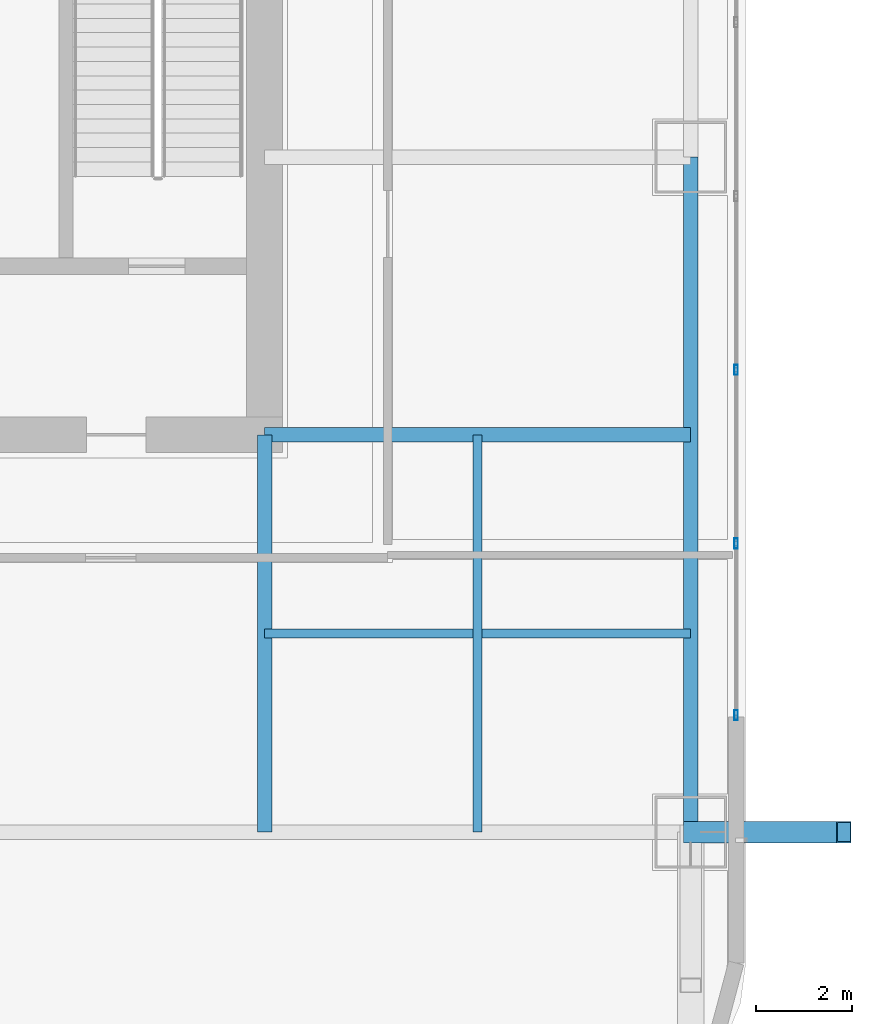
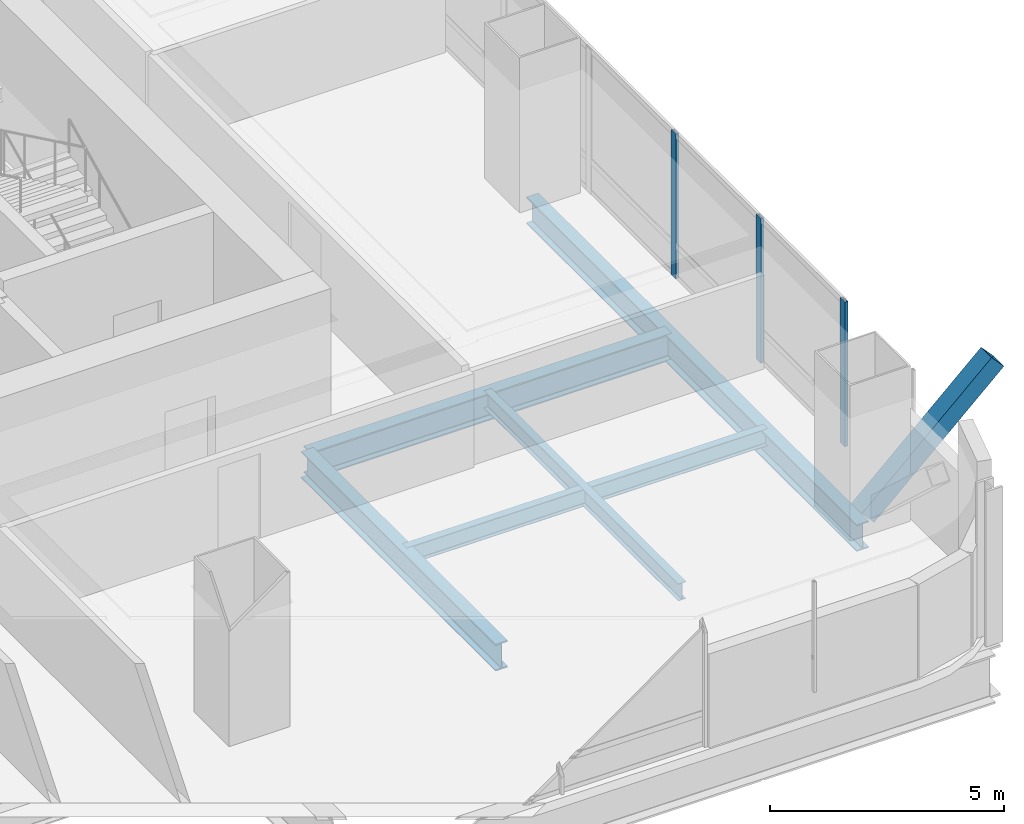
# One storey, part 13 of 45: 5 beams, 4 members, 1 element without a shape of its own.
"""IFC4 building model written with IfcOpenShell, lengths in metres."""

from ifc_helpers import new_model, si_unit, direction, frame, origin, origin_2d, place, context, subcontext, project, spatial, hollow_rectangle, i_section, extrude, material, material_profile, profile_set, type_object, element, aggregate, save


model = new_model("IFC4")

# Units and contexts
model_context = context("Model", 3, precision=1e-05, world=origin(), true_north=direction((0.0, 1.0)))
body_context = subcontext(model_context, "Body", "Model", "MODEL_VIEW")
ifc_project = project(units=[si_unit("LENGTHUNIT", "METRE"), si_unit("AREAUNIT", "SQUARE_METRE"), si_unit("VOLUMEUNIT", "CUBIC_METRE"), si_unit("PLANEANGLEUNIT", "RADIAN"), si_unit("MASSUNIT", "GRAM", prefix="KILO")], contexts=[model_context])

# Site, building, storey
site_placement = place(None, origin())
site = spatial("IfcSite", under=ifc_project, at=site_placement, CompositionType="ELEMENT")
building_placement = place(site_placement, origin())
building = spatial("IfcBuilding", under=site, at=building_placement, Name="Punatoya Terracotta Tower", CompositionType="ELEMENT")
storey_placement = place(building_placement, frame((0.0, 0.0, 56.550048828125)))
storey = spatial("IfcBuildingStorey", under=building, at=storey_placement, Name="L12", CompositionType="ELEMENT", Elevation=56.550048828125)

# Beams
ifc_material_1 = material(Name="Steel S355", Category="steel")
ifc_material_profile_1 = material_profile(ifc_material_1, i_section(OverallWidth=0.300048828125, OverallDepth=0.699951171875, WebThickness=0.01708984375, FlangeThickness=0.031982421875, FilletRadius=0.01806640625, at=origin_2d()))
ifc_profile_set_1 = profile_set([ifc_material_profile_1], Name="Steel S355")
beam_type_1 = type_object("IfcBeamType", Name="BM-PRI-700", PredefinedType="BEAM", material=ifc_profile_set_1)
beam_1_placement = place(storey_placement, frame((19.10009765625, -17.5, -0.590087890625), z_axis=(0.0, 1.0, 0.0), x_axis=(-1.0, 0.0, 0.0)))
element("IfcBeam", 1, at=beam_1_placement, inside=storey, type_object=beam_type_1, Name="BM-L12-RG-E1", PredefinedType="BEAM", context=body_context, shape_type="SweptSolid", body=[
    extrude(i_section(OverallWidth=0.300048828125, OverallDepth=0.699951171875, WebThickness=0.01708984375, FlangeThickness=0.031982421875, FilletRadius=0.01806640625, at=origin_2d()), origin(), (0.0, 0.0, 1.0), 14.10009765625),
])
beam_2_placement = place(storey_placement, frame((10.199951171875, -9.199951171875, -0.590087890625), z_axis=(1.0, 0.0, 0.0), x_axis=(0.0, 1.0, 0.0)))
element("IfcBeam", 2, at=beam_2_placement, inside=storey, type_object=beam_type_1, Name="BM-L12-PR-ES", PredefinedType="BEAM", context=body_context, shape_type="SweptSolid", body=[
    extrude(i_section(OverallWidth=0.300048828125, OverallDepth=0.699951171875, WebThickness=0.01708984375, FlangeThickness=0.031982421875, FilletRadius=0.01806640625, at=origin_2d()), origin(), (0.0, 0.0, 1.0), 8.900146484375),
])
beam_3_placement = place(storey_placement, frame((10.199951171875, -17.5, -0.590087890625), z_axis=(0.0, 1.0, 0.0), x_axis=(-1.0, 0.0, 0.0)))
element("IfcBeam", 3, at=beam_3_placement, inside=storey, type_object=beam_type_1, Name="BM-L12-PR-S4", PredefinedType="BEAM", context=body_context, shape_type="SweptSolid", body=[
    extrude(i_section(OverallWidth=0.300048828125, OverallDepth=0.699951171875, WebThickness=0.01708984375, FlangeThickness=0.031982421875, FilletRadius=0.01806640625, at=origin_2d()), origin(), (0.0, 0.0, 1.0), 8.300048828125),
])
ifc_material_profile_2 = material_profile(ifc_material_1, i_section(OverallWidth=0.18994140625, OverallDepth=0.449951171875, WebThickness=0.009521484375, FlangeThickness=0.0146484375, FilletRadius=0.01806640625, at=origin_2d()))
ifc_profile_set_2 = profile_set([ifc_material_profile_2], Name="Steel S355")
beam_type_2 = type_object("IfcBeamType", Name="BM-SEC-450", PredefinedType="JOIST", material=ifc_profile_set_2)
beam_4_placement = place(storey_placement, frame((10.199951171875, -13.35009765625, -0.465087890625), z_axis=(1.0, 0.0, 0.0), x_axis=(0.0, 1.0, 0.0)))
element("IfcBeam", 4, at=beam_4_placement, inside=storey, type_object=beam_type_2, Name="BM-L12-SJS-2", PredefinedType="JOIST", context=body_context, shape_type="SweptSolid", body=[
    extrude(i_section(OverallWidth=0.18994140625, OverallDepth=0.449951171875, WebThickness=0.009521484375, FlangeThickness=0.0146484375, FilletRadius=0.01806640625, at=origin_2d()), origin(), (0.0, 0.0, 1.0), 8.900146484375),
])
beam_5_placement = place(storey_placement, frame((14.64990234375, -17.5, -0.465087890625), z_axis=(0.0, 1.0, 0.0), x_axis=(-1.0, 0.0, 0.0)))
element("IfcBeam", 5, at=beam_5_placement, inside=storey, type_object=beam_type_2, Name="BM-L12-SJE-1", PredefinedType="JOIST", context=body_context, shape_type="SweptSolid", body=[
    extrude(i_section(OverallWidth=0.18994140625, OverallDepth=0.449951171875, WebThickness=0.009521484375, FlangeThickness=0.0146484375, FilletRadius=0.01806640625, at=origin_2d()), origin(), (0.0, 0.0, 1.0), 8.300048828125),
])

# Curtain wall, members
ifc_material_2 = material(Name="Aluminium 6063-T6 + Double Low-E Glass", Category="aluminium")
curtain_wall_type = type_object("IfcCurtainWallType", Name="CW-M1", PredefinedType="NOTDEFINED", material=ifc_material_2)
curtain_wall_placement = place(storey_placement, origin())
curtain_wall = element("IfcCurtainWall", 6, at=curtain_wall_placement, inside=storey, type_object=curtain_wall_type, Name="L12 Curtain Wall CW-L12-E05-1", PredefinedType="NOTDEFINED")
ifc_material_3 = material(Name="Aluminium 6063-T6", Category="aluminium")
ifc_material_profile_3 = material_profile(ifc_material_3, hollow_rectangle(XDim=0.074951171875, YDim=0.2099609375, WallThickness=0.00439453125, at=origin_2d()))
ifc_profile_set_3 = profile_set([ifc_material_profile_3], Name="Aluminium 6063-T6")
member_type_1 = type_object("IfcMemberType", Name="CW-MUL-M1", PredefinedType="MULLION", material=ifc_profile_set_3)
member_1_placement = place(storey_placement, frame((20.050048828125, -15.054931640625, 0.0), z_axis=(0.0, 0.0, 1.0), x_axis=(1.0, 0.0, 0.0)))
member_1 = element("IfcMember", 7, at=member_1_placement, type_object=member_type_1, Name="CW-L12-E05-1 Mullion 00", PredefinedType="MULLION", context=body_context, shape_type="SweptSolid", body=[
    extrude(hollow_rectangle(XDim=0.074951171875, YDim=0.2099609375, WallThickness=0.00439453125, at=origin_2d()), origin(), (0.0, 0.0, 1.0), 3.77001953125),
])
member_2_placement = place(storey_placement, frame((20.050048828125, -11.471435546875, 0.0), z_axis=(0.0, 0.0, 1.0), x_axis=(1.0, 0.0, 0.0)))
member_2 = element("IfcMember", 8, at=member_2_placement, type_object=member_type_1, Name="CW-L12-E05-1 Mullion 01", PredefinedType="MULLION", context=body_context, shape_type="SweptSolid", body=[
    extrude(hollow_rectangle(XDim=0.074951171875, YDim=0.2099609375, WallThickness=0.00439453125, at=origin_2d()), origin(), (0.0, 0.0, 1.0), 3.77001953125),
])
member_3_placement = place(storey_placement, frame((20.050048828125, -7.843017578125, 0.0), z_axis=(0.0, 0.0, 1.0), x_axis=(1.0, 0.0, 0.0)))
member_3 = element("IfcMember", 9, at=member_3_placement, type_object=member_type_1, Name="CW-L12-E05-1 Mullion 02", PredefinedType="MULLION", context=body_context, shape_type="SweptSolid", body=[
    extrude(hollow_rectangle(XDim=0.074951171875, YDim=0.2099609375, WallThickness=0.00439453125, at=origin_2d()), origin(), (0.0, 0.0, 1.0), 3.77001953125),
])
aggregate(curtain_wall, [member_1, member_2, member_3])

# Member
ifc_material_4 = material(Name="Steel S460", Category="steel")
ifc_material_profile_4 = material_profile(ifc_material_4, hollow_rectangle(XDim=0.449951171875, YDim=0.449951171875, WallThickness=0.02490234375, at=origin_2d()))
ifc_profile_set_4 = profile_set([ifc_material_profile_4], Name="Steel S460")
member_type_2 = type_object("IfcMemberType", Name="MEM-STR-450", PredefinedType="STRUT", material=ifc_profile_set_4)
member_4_placement = place(storey_placement, frame((19.10009765625, -17.5, 0.02001953125), z_axis=(0.735244168043, 0.0, 0.677802340922), x_axis=(0.0, 1.0, 0.0)))
element("IfcMember", 10, at=member_4_placement, inside=storey, type_object=member_type_2, Name="L13 Cantilever Raking Knee-Strut E1", PredefinedType="STRUT", context=body_context, shape_type="SweptSolid", body=[
    extrude(hollow_rectangle(XDim=0.449951171875, YDim=0.449951171875, WallThickness=0.02490234375, at=origin_2d()), origin(), (0.0, 0.0, 1.0), 4.352294921875),
])

save(model, "model.ifc")
